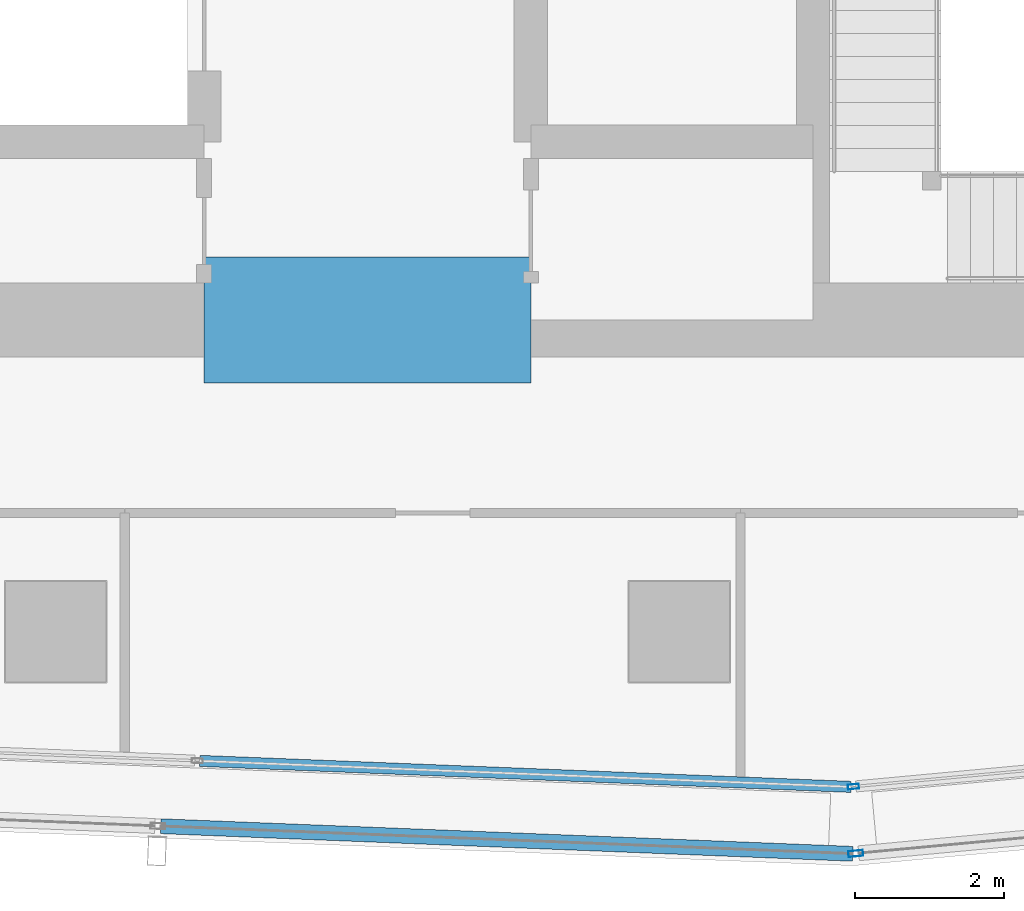
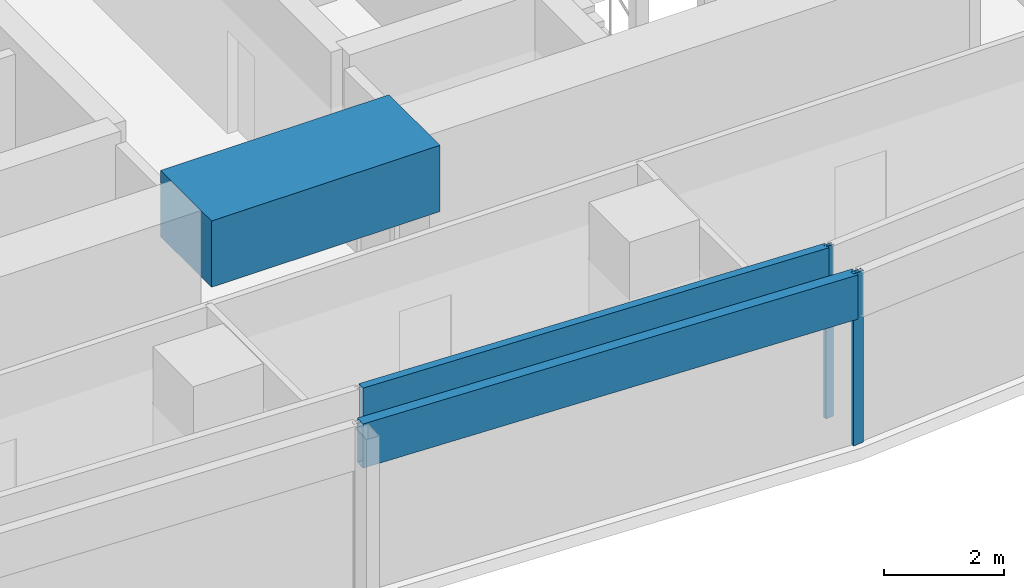
# One storey, part 10 of 40: 4 members, 1 beam, 4 elements without a shape of their own.
"""IFC4 building model written with IfcOpenShell, lengths in metres."""

from ifc_helpers import new_model, si_unit, direction, frame, origin, origin_2d, place, context, subcontext, project, spatial, rectangle, hollow_rectangle, extrude, material, material_profile, profile_set, type_object, element, aggregate, save


model = new_model("IFC4")

# Units and contexts
model_context = context("Model", 3, precision=1e-05, world=origin(), true_north=direction((0.0, 1.0)))
body_context = subcontext(model_context, "Body", "Model", "MODEL_VIEW")
ifc_project = project(units=[si_unit("LENGTHUNIT", "METRE"), si_unit("AREAUNIT", "SQUARE_METRE"), si_unit("VOLUMEUNIT", "CUBIC_METRE"), si_unit("PLANEANGLEUNIT", "RADIAN"), si_unit("MASSUNIT", "GRAM", prefix="KILO")], contexts=[model_context])

# Site, building, storey
site_placement = place(None, origin())
site = spatial("IfcSite", under=ifc_project, at=site_placement, CompositionType="ELEMENT")
building_placement = place(site_placement, origin())
building = spatial("IfcBuilding", under=site, at=building_placement, Name="Rekha Terrace Tower", CompositionType="ELEMENT")
storey_placement = place(building_placement, frame((0.0, 0.0, 210.199951171875)))
storey = spatial("IfcBuildingStorey", under=building, at=storey_placement, Name="L53", CompositionType="ELEMENT", Elevation=210.199951171875)

# Curtain wall, member
ifc_material_1 = material(Name="Aluminium framing", Category="aluminium")
curtain_wall_type_1 = type_object("IfcCurtainWallType", Name="CW1 double skin inner glazing", PredefinedType="USERDEFINED", material=ifc_material_1)
curtain_wall_1_placement = place(storey_placement, origin())
curtain_wall_1 = element("IfcCurtainWall", 1, at=curtain_wall_1_placement, inside=storey, type_object=curtain_wall_type_1, Name="CW1 double skin inner glazing", ObjectType="DOUBLE SKIN INNER GLAZING", PredefinedType="USERDEFINED")
ifc_material_2 = material(Name="Aluminium mullion section", Category="aluminium")
ifc_material_profile_1 = material_profile(ifc_material_2, hollow_rectangle(XDim=0.06494140625, YDim=0.14990234375, WallThickness=0.00390625, at=origin_2d()), Name="AL RHS 65x150")
ifc_profile_set_1 = profile_set([ifc_material_profile_1], Name="Aluminium mullion section")
member_type_1 = type_object("IfcMemberType", Name="CW1 mullion RHS 65 x 150", PredefinedType="MULLION", material=ifc_profile_set_1)
member_1_placement = place(storey_placement, frame((44.34423828125, 14.715087890625, 0.0), z_axis=(0.0, 0.0, 1.0), x_axis=(-0.092708869564, 0.995693258742, 0.0)))
member_1 = element("IfcMember", 2, at=member_1_placement, type_object=member_type_1, Name="CW1 mullion 1", PredefinedType="MULLION", context=body_context, shape_type="SweptSolid", body=[
    extrude(hollow_rectangle(XDim=0.06494140625, YDim=0.14990234375, WallThickness=0.00390625, at=origin_2d()), origin(), (0.0, 0.0, 1.0), 3.5),
])
aggregate(curtain_wall_1, [member_1])

curtain_wall_2_placement = place(storey_placement, origin())
curtain_wall_2 = element("IfcCurtainWall", 3, at=curtain_wall_2_placement, inside=storey, type_object=curtain_wall_type_1, Name="CW1 double skin inner glazing", ObjectType="DOUBLE SKIN INNER GLAZING", PredefinedType="USERDEFINED")
ifc_material_3 = material(Name="Insulated aluminium spandrel box", Category="aluminium")
ifc_material_profile_2 = material_profile(ifc_material_3, hollow_rectangle(XDim=0.14990234375, YDim=0.89990234375, WallThickness=0.0029296875, at=origin_2d()), Name="AL SPANDREL BOX 150x900")
ifc_profile_set_2 = profile_set([ifc_material_profile_2], Name="Insulated aluminium spandrel box")
member_type_2 = type_object("IfcMemberType", Name="CW1 spandrel transom 150 x 900", PredefinedType="USERDEFINED", material=ifc_profile_set_2)
member_2_placement = place(storey_placement, frame((35.5400390625, 15.06201171875, 3.050048828125), z_axis=(0.999204464505, -0.039880297311, 0.0), x_axis=(0.039880297311, 0.999204464505, 0.0)))
member_2 = element("IfcMember", 4, at=member_2_placement, type_object=member_type_2, Name="CW1 spandrel transom 4", ObjectType="TRANSOM", PredefinedType="USERDEFINED", context=body_context, shape_type="SweptSolid", body=[
    extrude(hollow_rectangle(XDim=0.14990234375, YDim=0.89990234375, WallThickness=0.0029296875, at=origin_2d()), origin(), (0.0, 0.0, 1.0), 8.77880859375),
])
aggregate(curtain_wall_2, [member_2])

curtain_wall_type_2 = type_object("IfcCurtainWallType", Name="CW2 double skin outer glazing", PredefinedType="USERDEFINED", material=ifc_material_1)
curtain_wall_3_placement = place(storey_placement, origin())
curtain_wall_3 = element("IfcCurtainWall", 5, at=curtain_wall_3_placement, inside=storey, type_object=curtain_wall_type_2, Name="CW2 double skin outer glazing", ObjectType="DOUBLE SKIN OUTER GLAZING", PredefinedType="USERDEFINED")
ifc_material_profile_3 = material_profile(ifc_material_2, hollow_rectangle(XDim=0.080078125, YDim=0.199951171875, WallThickness=0.00390625, at=origin_2d()), Name="AL RHS 80x200")
ifc_profile_set_3 = profile_set([ifc_material_profile_3], Name="Aluminium mullion section")
member_type_3 = type_object("IfcMemberType", Name="CW2 mullion RHS 80 x 200", PredefinedType="MULLION", material=ifc_profile_set_3)
member_3_placement = place(storey_placement, frame((44.37548828125, 13.81396484375, 0.0), z_axis=(0.0, 0.0, 1.0), x_axis=(-0.092708869512, 0.995693258747, 0.0)))
member_3 = element("IfcMember", 6, at=member_3_placement, type_object=member_type_3, Name="CW2 mullion 1", PredefinedType="MULLION", context=body_context, shape_type="SweptSolid", body=[
    extrude(hollow_rectangle(XDim=0.080078125, YDim=0.199951171875, WallThickness=0.00390625, at=origin_2d()), origin(), (0.0, 0.0, 1.0), 3.5),
])
aggregate(curtain_wall_3, [member_3])

curtain_wall_4_placement = place(storey_placement, origin())
curtain_wall_4 = element("IfcCurtainWall", 7, at=curtain_wall_4_placement, inside=storey, type_object=curtain_wall_type_2, Name="CW2 double skin outer glazing", ObjectType="DOUBLE SKIN OUTER GLAZING", PredefinedType="USERDEFINED")
ifc_material_profile_4 = material_profile(ifc_material_3, hollow_rectangle(XDim=0.199951171875, YDim=0.89990234375, WallThickness=0.0029296875, at=origin_2d()), Name="AL SPANDREL BOX 200x900")
ifc_profile_set_4 = profile_set([ifc_material_profile_4], Name="Insulated aluminium spandrel box")
member_type_4 = type_object("IfcMemberType", Name="CW2 spandrel transom 200 x 900", PredefinedType="USERDEFINED", material=ifc_profile_set_4)
member_4_placement = place(storey_placement, frame((35.01708984375, 14.18212890625, 3.050048828125), z_axis=(0.999204884837, -0.039869764458, 0.0), x_axis=(0.039869764458, 0.999204884837, 0.0)))
member_4 = element("IfcMember", 8, at=member_4_placement, type_object=member_type_4, Name="CW2 spandrel transom 4", ObjectType="TRANSOM", PredefinedType="USERDEFINED", context=body_context, shape_type="SweptSolid", body=[
    extrude(hollow_rectangle(XDim=0.199951171875, YDim=0.89990234375, WallThickness=0.0029296875, at=origin_2d()), origin(), (0.0, 0.0, 1.0), 9.325927734375),
])
aggregate(curtain_wall_4, [member_4])

# Beam
ifc_material_4 = material(Name="Concrete M60", Category="concrete")
ifc_material_profile_5 = material_profile(ifc_material_4, rectangle(XDim=1.699951171875, YDim=1.35009765625, at=origin_2d()), Name="RC 1700x1350")
ifc_profile_set_5 = profile_set([ifc_material_profile_5], Name="Concrete M60")
beam_type = type_object("IfcBeamType", Name="LB3A 1700x1350 diagonally reinforced coupling beam", PredefinedType="LINTEL", material=ifc_profile_set_5)
beam_placement = place(storey_placement, frame((35.60009765625, 21.0, 3.074951171875), z_axis=(1.0, 0.0, 0.0), x_axis=(0.0, 1.0, 0.0)))
element("IfcBeam", 9, at=beam_placement, inside=storey, type_object=beam_type, Name="Coupling beam LB3A S L53", PredefinedType="LINTEL", context=body_context, shape_type="SweptSolid", body=[
    extrude(rectangle(XDim=1.699951171875, YDim=1.35009765625, at=origin_2d()), origin(), (0.0, 0.0, 1.0), 4.39990234375),
])

save(model, "model.ifc")
